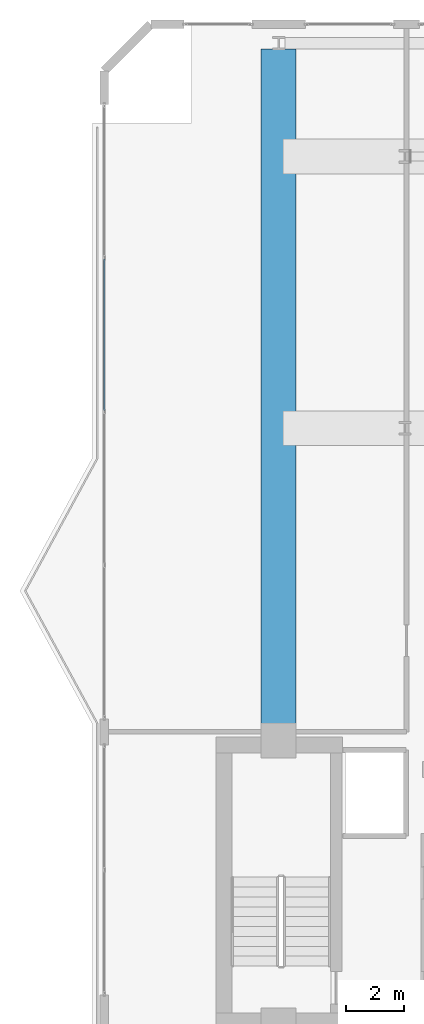
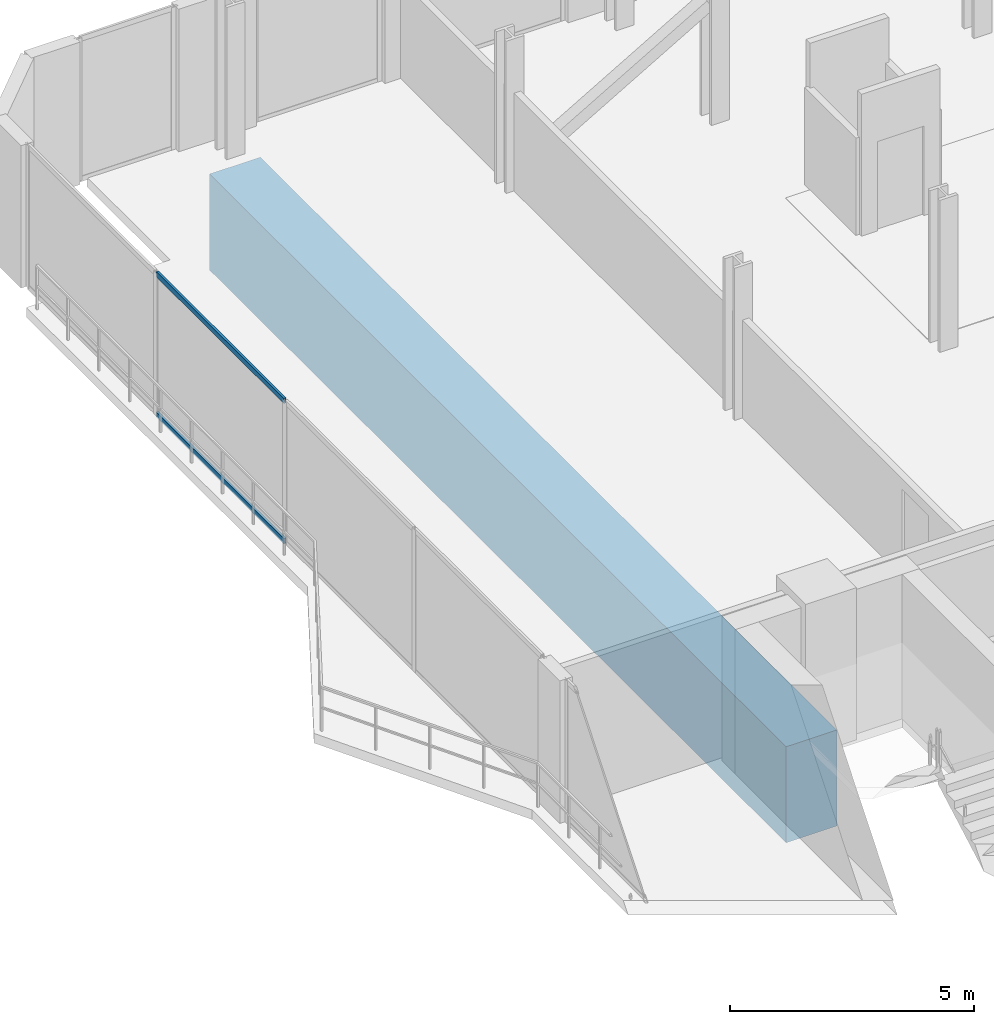
# One storey, part 9 of 27: 2 members, 1 beam, 1 element without a shape of its own.
"""IFC4 building model written with IfcOpenShell, lengths in metres."""

import ifcopenshell
import ifcopenshell.guid

model = None  # the IFC model being written
_history = None  # IfcOwnerHistory: only IFC2X3 demands one
_inside = {}  # id of a spatial element -> (the spatial element, [elements in it])
_under = {}  # id of a project, library or spatial element -> (it, [spatial elements below it])
_declared = {}  # id of a project -> (the project, [libraries it declares])
_typed = {}  # id of a type object -> (the type object, [elements of that type])
_made_of = {}  # id of a material, layer set ... -> (it, [elements and type objects made of it])


def new_model(schema):
    """Start an empty IFC model of exactly this schema.

    Asked for "IFC4X3", IfcOpenShell would pick the latest addendum, in which some entities
    have other attributes; the version numbers below select the first issue.
    IFC2X3 requires an IfcOwnerHistory on every rooted entity: one is made here for all.
    """
    global model, _history
    if schema == "IFC4X3":
        model = ifcopenshell.file(schema_version=(4, 3, 0, 0))
    else:
        model = ifcopenshell.file(schema=schema)
    _inside.clear()
    _under.clear()
    _declared.clear()
    _typed.clear()
    _made_of.clear()
    _history = None
    if model.schema == "IFC2X3":
        org = make("IfcOrganization", Name="unknown")
        user = make(
            "IfcPersonAndOrganization",
            ThePerson=make("IfcPerson", FamilyName="unknown"),
            TheOrganization=org,
        )
        app = make(
            "IfcApplication",
            ApplicationDeveloper=org,
            Version="unknown",
            ApplicationFullName="unknown",
            ApplicationIdentifier="unknown",
        )
        _history = make(
            "IfcOwnerHistory",
            OwningUser=user,
            OwningApplication=app,
            ChangeAction="ADDED",
            CreationDate=0,
        )
    return model


def make(cls, **values):
    """One entity of the class cls with the attributes given. An attribute that is None is left unset."""
    return model.create_entity(
        cls, **{name: value for name, value in values.items() if value is not None}
    )


def rooted(cls, **values):
    """An entity with a GlobalId (a new one), such as an element, a storey or a relation."""
    return make(cls, GlobalId=ifcopenshell.guid.new(), OwnerHistory=_history, **values)


def si_unit(unit_type, name, prefix=None):
    """IfcSIUnit, for example si_unit("LENGTHUNIT", "METRE", prefix="MILLI")."""
    return make("IfcSIUnit", UnitType=unit_type, Prefix=prefix, Name=name)


def assignment(units):
    """IfcUnitAssignment: the units of a project."""
    return None if units is None else make("IfcUnitAssignment", Units=units)


def point(xyz):
    """IfcCartesianPoint."""
    return None if xyz is None else make("IfcCartesianPoint", Coordinates=xyz)


def direction(xyz):
    """IfcDirection."""
    return None if xyz is None else make("IfcDirection", DirectionRatios=xyz)


def frame(location, z_axis=None, x_axis=None):
    """IfcAxis2Placement3D, a coordinate frame: its origin and axes. An axis left out is left unset."""
    return make(
        "IfcAxis2Placement3D",
        Location=point(location),
        Axis=direction(z_axis),
        RefDirection=direction(x_axis),
    )


def frame_2d(location, x_axis=None):
    """IfcAxis2Placement2D, a coordinate frame in the plane: its origin and x axis."""
    return make(
        "IfcAxis2Placement2D", Location=point(location), RefDirection=direction(x_axis)
    )


def origin():
    """The frame at (0, 0, 0) with its axes left unset."""
    return frame((0.0, 0.0, 0.0))


def origin_2d():
    """The frame at (0, 0) in the plane with its x axis left unset."""
    return frame_2d((0.0, 0.0))


def place(relative_to, where):
    """IfcLocalPlacement: puts the frame where relative to a parent placement (None: the world)."""
    return make(
        "IfcLocalPlacement", PlacementRelTo=relative_to, RelativePlacement=where
    )


def context(
    kind, dimensions, precision=None, world=None, true_north=None, identifier=None
):
    """IfcGeometricRepresentationContext, for example the 3D "Model" context."""
    return make(
        "IfcGeometricRepresentationContext",
        ContextIdentifier=identifier,
        ContextType=kind,
        CoordinateSpaceDimension=dimensions,
        Precision=precision,
        WorldCoordinateSystem=world,
        TrueNorth=true_north,
    )


def subcontext(parent, identifier, kind, view, scale=None):
    """IfcGeometricRepresentationSubContext, for example "Body" below "Model"."""
    return make(
        "IfcGeometricRepresentationSubContext",
        ContextIdentifier=identifier,
        ContextType=kind,
        ParentContext=parent,
        TargetScale=scale,
        TargetView=view,
    )


def project(units=None, contexts=None):
    """IfcProject with its units and contexts."""
    return rooted(
        "IfcProject",
        Name="project",
        RepresentationContexts=contexts,
        UnitsInContext=assignment(units),
    )


def spatial(cls, under=None, at=None, **own):
    """A site, building, storey or space (cls), placed at a placement, below another one or the project."""
    s = rooted(cls, ObjectPlacement=at, **own)
    if under is not None:
        _under.setdefault(under.id(), (under, []))[1].append(s)
    return s


def profile(cls, at=None, kind="AREA", **sizes):
    """A parametric profile (cls). Its sizes go by their IFC names, for example OverallWidth=200.0."""
    return make(cls, ProfileType=kind, Position=at, **sizes)


def rectangle(**sizes):
    """IfcRectangleProfileDef."""
    return profile("IfcRectangleProfileDef", **sizes)


def hollow_rectangle(**sizes):
    """IfcRectangleHollowProfileDef."""
    return profile("IfcRectangleHollowProfileDef", **sizes)


def extrude(swept, where, along, depth):
    """IfcExtrudedAreaSolid: the profile swept, set in the frame where, extruded along a direction by depth."""
    return make(
        "IfcExtrudedAreaSolid",
        SweptArea=swept,
        Position=where,
        ExtrudedDirection=direction(along),
        Depth=depth,
    )


def shape(context_of_items, identifier, shape_type, items):
    """IfcShapeRepresentation: the items that make up one representation, for example the "Body"."""
    return make(
        "IfcShapeRepresentation",
        ContextOfItems=context_of_items,
        RepresentationIdentifier=identifier,
        RepresentationType=shape_type,
        Items=items,
    )


def material(Name=None, Category=None):
    """IfcMaterial."""
    return make("IfcMaterial", Name=Name, Category=Category)


def layer(
    of_material, thickness, ventilated=None, Name=None, Category=None, Priority=None
):
    """IfcMaterialLayer: one layer of a wall or slab, of a material (None: an air gap)."""
    return make(
        "IfcMaterialLayer",
        Material=of_material,
        LayerThickness=thickness,
        IsVentilated=ventilated,
        Name=Name,
        Category=Category,
        Priority=Priority,
    )


def layer_set(layers, Name=None):
    """IfcMaterialLayerSet."""
    return make("IfcMaterialLayerSet", MaterialLayers=layers, LayerSetName=Name)


def material_profile(
    of_material, cross_section, Name=None, Category=None, Priority=None
):
    """IfcMaterialProfile: a cross section and its material."""
    return make(
        "IfcMaterialProfile",
        Name=Name,
        Material=of_material,
        Profile=cross_section,
        Priority=Priority,
        Category=Category,
    )


def profile_set(profiles, Name=None, composite=None):
    """IfcMaterialProfileSet."""
    return make(
        "IfcMaterialProfileSet",
        Name=Name,
        MaterialProfiles=profiles,
        CompositeProfile=composite,
    )


def made_of(thing, what):
    """Note that an element or type object is made of a material, layer set ...; save() writes the relation."""
    if what is not None:
        _made_of.setdefault(what.id(), (what, []))[1].append(thing)
    return thing


def type_object(cls, material=None, **own):
    """A type object (cls), such as IfcWallType, which elements share."""
    return made_of(rooted(cls, **own), material)


def element(
    cls,
    number,
    at=None,
    inside=None,
    cuts=None,
    type_object=None,
    material=None,
    context=None,
    identifier="Body",
    shape_type=None,
    held_by="IfcProductDefinitionShape",
    body=None,
    shapes=None,
    **own,
):
    """One element of the class cls, such as IfcWall. Its Tag is "e" and its number.

    at: its placement. inside: the storey or other place that contains it. cuts: it is an
    opening in that element (IfcRelVoidsElement). A single representation is given by context,
    identifier, shape_type and body (its items); several are given by shapes. held_by: the class
    of the entity that holds the representations. save() writes the other relations.
    """
    e = rooted(cls, Tag="e%d" % number, ObjectPlacement=at, **own)
    if body is not None:
        shapes = [shape(context, identifier, shape_type, body)]
    if shapes is not None:
        e.Representation = make(held_by, Representations=shapes)
    if inside is not None:
        _inside.setdefault(inside.id(), (inside, []))[1].append(e)
    if cuts is not None:
        rooted(
            "IfcRelVoidsElement", RelatingBuildingElement=cuts, RelatedOpeningElement=e
        )
    if type_object is not None:
        _typed.setdefault(type_object.id(), (type_object, []))[1].append(e)
    return made_of(e, material)


def aggregate(whole, parts):
    """IfcRelAggregates: a whole, such as a stair, and the parts it consists of."""
    return rooted("IfcRelAggregates", RelatingObject=whole, RelatedObjects=parts)


def save(model, path):
    """Write the relations noted so far, then the file.

    IfcRelAggregates (storeys below a building ...), IfcRelContainedInSpatialStructure (elements
    in a storey), IfcRelDefinesByType, IfcRelAssociatesMaterial and IfcRelDeclares: one each for
    every whole, place, type object, material and project.
    """
    for whole, parts in _under.values():
        aggregate(whole, parts)
    for where, things in _inside.values():
        rooted(
            "IfcRelContainedInSpatialStructure",
            RelatedElements=things,
            RelatingStructure=where,
        )
    for kind, things in _typed.values():
        rooted("IfcRelDefinesByType", RelatedObjects=things, RelatingType=kind)
    for what, things in _made_of.values():
        rooted("IfcRelAssociatesMaterial", RelatedObjects=things, RelatingMaterial=what)
    for by, libraries in _declared.values():
        rooted("IfcRelDeclares", RelatingContext=by, RelatedDefinitions=libraries)
    model.write(path)


model = new_model("IFC4")

# Units and contexts
model_context = context("Model", 3, precision=1e-05, world=origin(), true_north=direction((0.0, 1.0)))
body_context = subcontext(model_context, "Body", "Model", "MODEL_VIEW")
ifc_project = project(units=[si_unit("LENGTHUNIT", "METRE"), si_unit("AREAUNIT", "SQUARE_METRE"), si_unit("VOLUMEUNIT", "CUBIC_METRE"), si_unit("PLANEANGLEUNIT", "RADIAN"), si_unit("MASSUNIT", "GRAM", prefix="KILO")], contexts=[model_context])

# Site, building, storey
site_placement = place(None, origin())
site = spatial("IfcSite", under=ifc_project, at=site_placement, CompositionType="ELEMENT")
building_placement = place(site_placement, origin())
building = spatial("IfcBuilding", under=site, at=building_placement, Name="Zuhayl Quay Hotel", CompositionType="ELEMENT")
storey_placement = place(building_placement, frame((0.0, 0.0, 297.25)))
storey = spatial("IfcBuildingStorey", under=building, at=storey_placement, Name="Crown 1", CompositionType="ELEMENT", Elevation=297.25)

# Beam
ifc_material_1 = material(Name="Concrete C60/75", Category="concrete")
ifc_material_profile_1 = material_profile(ifc_material_1, rectangle(XDim=1.199951171875, YDim=2.39990234375, at=origin_2d()), Name="RC1200X2400")
ifc_profile_set_1 = profile_set([ifc_material_profile_1], Name="Concrete C60/75")
beam_type = type_object("IfcBeamType", Name="BM_TG0_RC2400", PredefinedType="BEAM", material=ifc_profile_set_1)
beam_placement = place(storey_placement, frame((-13.800048828125, 14.550048828125, -1.43994140625), z_axis=(0.0, 1.0, 0.0), x_axis=(-1.0, 0.0, 0.0)))
element("IfcBeam", 1, at=beam_placement, inside=storey, type_object=beam_type, Name="Crown 1 Floor Beam CR_NS_1_1", PredefinedType="BEAM", context=body_context, shape_type="SweptSolid", body=[
    extrude(rectangle(XDim=1.199951171875, YDim=2.39990234375, at=origin_2d()), origin(), (0.0, 0.0, 1.0), 23.599853515625),
])

# Curtain wall, members
ifc_material_2 = material(Name="Anodised Aluminium 6063-T6", Category="aluminium")
ifc_layer = layer(ifc_material_2, 0.159912109375, Name="Anodised Aluminium 6063-T6", Category="aluminium")
ifc_layer_set = layer_set([ifc_layer], Name="Anodised Aluminium 6063-T6")
curtain_wall_type = type_object("IfcCurtainWallType", Name="CW_SYS_CRN", PredefinedType="USERDEFINED", material=ifc_layer_set)
curtain_wall_placement = place(storey_placement, origin())
curtain_wall = element("IfcCurtainWall", 2, at=curtain_wall_placement, inside=storey, type_object=curtain_wall_type, Name="Crown 1 Curtain Wall ENV_CR1_E1_CW2", ObjectType="UNITISED CURTAIN WALL", PredefinedType="USERDEFINED")
ifc_material_3 = material(Name="Black-anodised aluminium 6063-T6", Category="aluminium")
ifc_material_profile_2 = material_profile(ifc_material_3, hollow_rectangle(XDim=0.054931640625, YDim=0.1298828125, WallThickness=0.0029296875, at=origin_2d()), Name="ALU130X55")
ifc_profile_set_2 = profile_set([ifc_material_profile_2], Name="Black-anodised aluminium 6063-T6")
member_type = type_object("IfcMemberType", Name="MB_CW_TRN_130", PredefinedType="USERDEFINED", material=ifc_profile_set_2)
member_1_placement = place(storey_placement, frame((-19.800048828125, 25.705078125, 0.027587890625), z_axis=(0.0, 1.0, 0.0), x_axis=(-1.0, 0.0, 0.0)))
member_1 = element("IfcMember", 3, at=member_1_placement, type_object=member_type, Name="CW-CRN transom 3.1", ObjectType="TRANSOM", PredefinedType="USERDEFINED", context=body_context, shape_type="SweptSolid", body=[
    extrude(hollow_rectangle(XDim=0.054931640625, YDim=0.1298828125, WallThickness=0.0029296875, at=origin_2d()), origin(), (0.0, 0.0, 1.0), 5.2275390625),
])
member_2_placement = place(storey_placement, frame((-19.800048828125, 25.705078125, 3.532470703125), z_axis=(0.0, 1.0, 0.0), x_axis=(-1.0, 0.0, 0.0)))
member_2 = element("IfcMember", 4, at=member_2_placement, type_object=member_type, Name="CW-CRN transom 3.2", ObjectType="TRANSOM", PredefinedType="USERDEFINED", context=body_context, shape_type="SweptSolid", body=[
    extrude(hollow_rectangle(XDim=0.054931640625, YDim=0.1298828125, WallThickness=0.0029296875, at=origin_2d()), origin(), (0.0, 0.0, 1.0), 5.2275390625),
])
aggregate(curtain_wall, [member_1, member_2])

save(model, "model.ifc")
